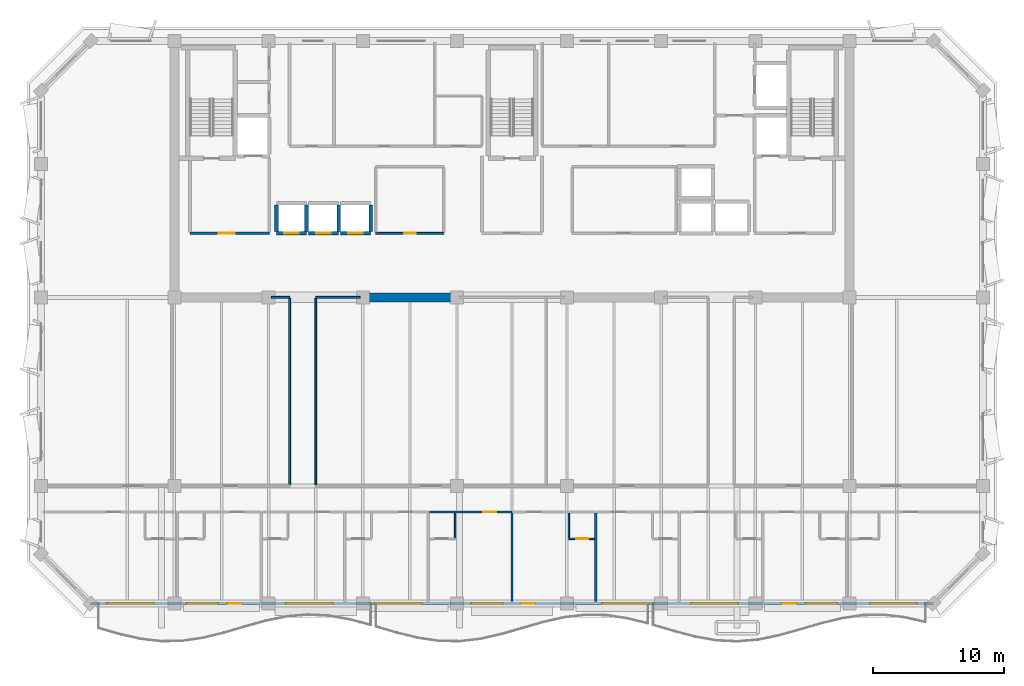
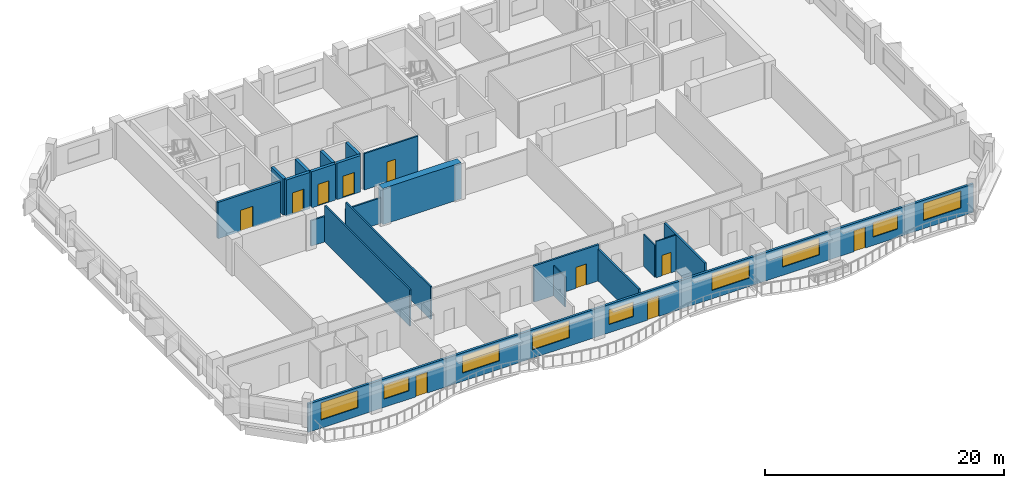
# One storey, part 4 of 11: 21 walls, 10 doors, 9 windows, 19 openings.
"""IFC4 building model written with IfcOpenShell, lengths in metres."""

from ifc_helpers import new_model, si_unit, direction, frame, frame_2d, origin, place, context, subcontext, project, spatial, rectangle, extrude, material, layer, layer_set, type_object, element, fill, save


model = new_model("IFC4")

# Units and contexts
model_context = context("Model", 3, precision=1e-05, world=origin(), true_north=direction((0.0, 1.0)))
body_context = subcontext(model_context, "Body", "Model", "MODEL_VIEW")
ifc_project = project(units=[si_unit("LENGTHUNIT", "METRE"), si_unit("AREAUNIT", "SQUARE_METRE"), si_unit("VOLUMEUNIT", "CUBIC_METRE"), si_unit("PLANEANGLEUNIT", "RADIAN"), si_unit("MASSUNIT", "GRAM", prefix="KILO")], contexts=[model_context])

# Site, building, storey
site_placement = place(None, origin())
site = spatial("IfcSite", under=ifc_project, at=site_placement, CompositionType="ELEMENT")
building_placement = place(site_placement, origin())
building = spatial("IfcBuilding", under=site, at=building_placement, Name="Kaelvorn Grand Hotel", CompositionType="ELEMENT")
storey_placement = place(building_placement, frame((0.0, 0.0, 237.050048828125)))
storey = spatial("IfcBuildingStorey", under=building, at=storey_placement, Name="L58", CompositionType="ELEMENT", Elevation=237.050048828125)

# Wall
ifc_material_1 = material(Name="Concrete C50/60", Category="concrete")
ifc_layer_1 = layer(ifc_material_1, 0.699951171875)
ifc_layer_set_1 = layer_set([ifc_layer_1], Name="Concrete C50/60")
wall_type_1 = type_object("IfcWallType", Name="WL-CORE-700-C50", PredefinedType="SHEAR", material=ifc_layer_set_1)
wall_1_placement = place(storey_placement, frame((30.39990234375, 29.39990234375, 0.0), z_axis=(0.0, 0.0, 1.0), x_axis=(1.0, 0.0, 0.0)))
element("IfcWall", 1, at=wall_1_placement, inside=storey, type_object=wall_type_1, Name="L58 Rear-Core Coupled Shear Pier S2", PredefinedType="SHEAR", context=body_context, shape_type="SweptSolid", body=[
    extrude(rectangle(XDim=7.60009765625, YDim=0.699951171875, at=frame_2d((3.800048828125, 0.0))), origin(), (0.0, 0.0, 1.0), 3.7099609375),
])

# Wall, openings, doors, windows
ifc_material_2 = material(Name="Concrete C40/50", Category="concrete")
ifc_layer_2 = layer(ifc_material_2, 0.219970703125)
ifc_layer_set_2 = layer_set([ifc_layer_2], Name="Concrete C40/50")
wall_type_2 = type_object("IfcWallType", Name="WL-EXT-220-C40", PredefinedType="SOLIDWALL", material=ifc_layer_set_2)
wall_2_placement = place(storey_placement, frame((9.800048828125, 6.0, 0.0), z_axis=(0.0, 0.0, 1.0), x_axis=(1.0, 0.0, 0.0)))
wall_2 = element("IfcWall", 2, at=wall_2_placement, inside=storey, type_object=wall_type_2, Name="L58 Exterior Architectural Concrete Wall 01", PredefinedType="SOLIDWALL", context=body_context, shape_type="SweptSolid", body=[
    extrude(rectangle(XDim=64.39990234375, YDim=0.219970703125, at=frame_2d((32.199951171875, 0.0))), origin(), (0.0, 0.0, 1.0), 2.909912109375),
])
opening_1_placement = place(wall_2_placement, frame((10.449951171875, 0.0, 0.0)))
opening_1 = element("IfcOpeningElement", 3, at=opening_1_placement, cuts=wall_2, Name="Opening DE2", PredefinedType="OPENING", context=body_context, shape_type="SweptSolid", body=[
    extrude(rectangle(XDim=1.10009765625, YDim=2.14990234375, at=frame_2d((0.550048828125, 1.074951171875))), frame((0.0, 0.1201171875, 0.0), z_axis=(0.0, -1.0, 0.0), x_axis=(1.0, 0.0, 0.0)), (0.0, 0.0, 1.0), 0.239990234375),
])
opening_2_placement = place(wall_2_placement, frame((32.85009765625, 0.0, 0.0)))
opening_2 = element("IfcOpeningElement", 4, at=opening_2_placement, cuts=wall_2, Name="Opening DE2", PredefinedType="OPENING", context=body_context, shape_type="SweptSolid", body=[
    extrude(rectangle(XDim=1.10009765625, YDim=2.14990234375, at=frame_2d((0.550048828125, 1.074951171875))), frame((0.0, 0.1201171875, 0.0), z_axis=(0.0, -1.0, 0.0), x_axis=(1.0, 0.0, 0.0)), (0.0, 0.0, 1.0), 0.239990234375),
])
opening_3_placement = place(wall_2_placement, frame((52.85009765625, 0.0, 0.0)))
opening_3 = element("IfcOpeningElement", 5, at=opening_3_placement, cuts=wall_2, Name="Opening DE2", PredefinedType="OPENING", context=body_context, shape_type="SweptSolid", body=[
    extrude(rectangle(XDim=1.10009765625, YDim=2.14990234375, at=frame_2d((0.550048828125, 1.074951171875))), frame((0.0, 0.1201171875, 0.0), z_axis=(0.0, -1.0, 0.0), x_axis=(1.0, 0.0, 0.0)), (0.0, 0.0, 1.0), 0.239990234375),
])
opening_4_placement = place(wall_2_placement, frame((1.235107421875, 0.0, 0.85009765625)))
opening_4 = element("IfcOpeningElement", 6, at=opening_4_placement, cuts=wall_2, Name="Opening W3", PredefinedType="OPENING", context=body_context, shape_type="SweptSolid", body=[
    extrude(rectangle(XDim=3.60009765625, YDim=1.75, at=frame_2d((1.800048828125, 0.875))), frame((0.0, 0.1201171875, 0.0), z_axis=(0.0, -1.0, 0.0), x_axis=(1.0, 0.0, 0.0)), (0.0, 0.0, 1.0), 0.239990234375),
])
opening_5_placement = place(wall_2_placement, frame((7.340087890625, 0.0, 0.85009765625)))
opening_5 = element("IfcOpeningElement", 7, at=opening_5_placement, cuts=wall_2, Name="Opening W6", PredefinedType="OPENING", context=body_context, shape_type="SweptSolid", body=[
    extrude(rectangle(XDim=2.39990234375, YDim=1.5, at=frame_2d((1.199951171875, 0.75))), frame((0.0, 0.1201171875, 0.0), z_axis=(0.0, -1.0, 0.0), x_axis=(1.0, 0.0, 0.0)), (0.0, 0.0, 1.0), 0.239990234375),
])
opening_6_placement = place(wall_2_placement, frame((14.909912109375, 0.0, 0.85009765625)))
opening_6 = element("IfcOpeningElement", 8, at=opening_6_placement, cuts=wall_2, Name="Opening W3", PredefinedType="OPENING", context=body_context, shape_type="SweptSolid", body=[
    extrude(rectangle(XDim=3.60009765625, YDim=1.75, at=frame_2d((1.800048828125, 0.875))), frame((0.0, 0.1201171875, 0.0), z_axis=(0.0, -1.0, 0.0), x_axis=(1.0, 0.0, 0.0)), (0.0, 0.0, 1.0), 0.239990234375),
])
opening_7_placement = place(wall_2_placement, frame((21.705078125, 0.0, 0.85009765625)))
opening_7 = element("IfcOpeningElement", 9, at=opening_7_placement, cuts=wall_2, Name="Opening W3", PredefinedType="OPENING", context=body_context, shape_type="SweptSolid", body=[
    extrude(rectangle(XDim=3.60009765625, YDim=1.75, at=frame_2d((1.800048828125, 0.875))), frame((0.0, 0.1201171875, 0.0), z_axis=(0.0, -1.0, 0.0), x_axis=(1.0, 0.0, 0.0)), (0.0, 0.0, 1.0), 0.239990234375),
])
opening_8_placement = place(wall_2_placement, frame((29.10009765625, 0.0, 0.85009765625)))
opening_8 = element("IfcOpeningElement", 10, at=opening_8_placement, cuts=wall_2, Name="Opening W6", PredefinedType="OPENING", context=body_context, shape_type="SweptSolid", body=[
    extrude(rectangle(XDim=2.39990234375, YDim=1.5, at=frame_2d((1.199951171875, 0.75))), frame((0.0, 0.1201171875, 0.0), z_axis=(0.0, -1.0, 0.0), x_axis=(1.0, 0.0, 0.0)), (0.0, 0.0, 1.0), 0.239990234375),
])
opening_9_placement = place(wall_2_placement, frame((39.094970703125, 0.0, 0.85009765625)))
opening_9 = element("IfcOpeningElement", 11, at=opening_9_placement, cuts=wall_2, Name="Opening W3", PredefinedType="OPENING", context=body_context, shape_type="SweptSolid", body=[
    extrude(rectangle(XDim=3.60009765625, YDim=1.75, at=frame_2d((1.800048828125, 0.875))), frame((0.0, 0.1201171875, 0.0), z_axis=(0.0, -1.0, 0.0), x_axis=(1.0, 0.0, 0.0)), (0.0, 0.0, 1.0), 0.239990234375),
])
opening_10_placement = place(wall_2_placement, frame((45.889892578125, 0.0, 0.85009765625)))
opening_10 = element("IfcOpeningElement", 12, at=opening_10_placement, cuts=wall_2, Name="Opening W3", PredefinedType="OPENING", context=body_context, shape_type="SweptSolid", body=[
    extrude(rectangle(XDim=3.60009765625, YDim=1.75, at=frame_2d((1.800048828125, 0.875))), frame((0.0, 0.1201171875, 0.0), z_axis=(0.0, -1.0, 0.0), x_axis=(1.0, 0.0, 0.0)), (0.0, 0.0, 1.0), 0.239990234375),
])
opening_11_placement = place(wall_2_placement, frame((54.659912109375, 0.0, 0.85009765625)))
opening_11 = element("IfcOpeningElement", 13, at=opening_11_placement, cuts=wall_2, Name="Opening W6", PredefinedType="OPENING", context=body_context, shape_type="SweptSolid", body=[
    extrude(rectangle(XDim=2.39990234375, YDim=1.5, at=frame_2d((1.199951171875, 0.75))), frame((0.0, 0.1201171875, 0.0), z_axis=(0.0, -1.0, 0.0), x_axis=(1.0, 0.0, 0.0)), (0.0, 0.0, 1.0), 0.239990234375),
])
opening_12_placement = place(wall_2_placement, frame((59.56494140625, 0.0, 0.85009765625)))
opening_12 = element("IfcOpeningElement", 14, at=opening_12_placement, cuts=wall_2, Name="Opening W3", PredefinedType="OPENING", context=body_context, shape_type="SweptSolid", body=[
    extrude(rectangle(XDim=3.60009765625, YDim=1.75, at=frame_2d((1.800048828125, 0.875))), frame((0.0, 0.1201171875, 0.0), z_axis=(0.0, -1.0, 0.0), x_axis=(1.0, 0.0, 0.0)), (0.0, 0.0, 1.0), 0.239990234375),
])
ifc_material_3 = material(Name="Anodised Aluminium", Category="aluminium")
door_type_1 = type_object("IfcDoorType", Name="DR-EXT-BALC-1100x2150", OperationType="NOTDEFINED", PredefinedType="DOOR", material=ifc_material_3)
door_1_placement = place(opening_1_placement, origin())
door_1 = element("IfcDoor", 15, at=door_1_placement, inside=storey, type_object=door_type_1, Name="L58 Scalloped Balcony Glazed Door DE2-1", OperationType="SINGLE_SWING_LEFT", OverallHeight=2.14990234375, OverallWidth=1.10009765625, PredefinedType="DOOR", context=body_context, shape_type="SweptSolid", body=[
    extrude(rectangle(XDim=1.10009765625, YDim=2.14990234375, at=frame_2d((0.550048828125, 1.074951171875))), frame((0.0, 0.02490234375, 0.0), z_axis=(0.0, -1.0, 0.0), x_axis=(1.0, 0.0, 0.0)), (0.0, 0.0, 1.0), 0.050048828125),
])
fill(opening_1, door_1)
door_2_placement = place(opening_2_placement, origin())
door_2 = element("IfcDoor", 16, at=door_2_placement, inside=storey, type_object=door_type_1, Name="L58 Scalloped Balcony Glazed Door DE2-2", OperationType="SINGLE_SWING_RIGHT", OverallHeight=2.14990234375, OverallWidth=1.10009765625, PredefinedType="DOOR", context=body_context, shape_type="SweptSolid", body=[
    extrude(rectangle(XDim=1.10009765625, YDim=2.14990234375, at=frame_2d((0.550048828125, 1.074951171875))), frame((0.0, 0.02490234375, 0.0), z_axis=(0.0, -1.0, 0.0), x_axis=(1.0, 0.0, 0.0)), (0.0, 0.0, 1.0), 0.050048828125),
])
fill(opening_2, door_2)
door_3_placement = place(opening_3_placement, origin())
door_3 = element("IfcDoor", 17, at=door_3_placement, inside=storey, type_object=door_type_1, Name="L58 Scalloped Balcony Glazed Door DE2-3", OperationType="SINGLE_SWING_LEFT", OverallHeight=2.14990234375, OverallWidth=1.10009765625, PredefinedType="DOOR", context=body_context, shape_type="SweptSolid", body=[
    extrude(rectangle(XDim=1.10009765625, YDim=2.14990234375, at=frame_2d((0.550048828125, 1.074951171875))), frame((0.0, 0.02490234375, 0.0), z_axis=(0.0, -1.0, 0.0), x_axis=(1.0, 0.0, 0.0)), (0.0, 0.0, 1.0), 0.050048828125),
])
fill(opening_3, door_3)
ifc_material_4 = material(Name="Laminated Low-E Glass", Category="glass")
window_type_1 = type_object("IfcWindowType", Name="WIN-NTH-2400x1500", PartitioningType="SINGLE_PANEL", PredefinedType="WINDOW", material=ifc_material_4)
window_1_placement = place(opening_5_placement, origin())
window_1 = element("IfcWindow", 18, at=window_1_placement, inside=storey, type_object=window_type_1, Name="L58 South Guestroom Ribbon Window SR02", OverallHeight=1.5, OverallWidth=2.39990234375, PartitioningType="SINGLE_PANEL", PredefinedType="WINDOW", context=body_context, shape_type="SweptSolid", body=[
    extrude(rectangle(XDim=2.39990234375, YDim=1.5, at=frame_2d((1.199951171875, 0.75))), frame((0.0, 0.030029296875, 0.0), z_axis=(0.0, -1.0, 0.0), x_axis=(1.0, 0.0, 0.0)), (0.0, 0.0, 1.0), 0.06005859375),
])
fill(opening_5, window_1)
window_2_placement = place(opening_8_placement, origin())
window_2 = element("IfcWindow", 19, at=window_2_placement, inside=storey, type_object=window_type_1, Name="L58 South Guestroom Ribbon Window SR05", OverallHeight=1.5, OverallWidth=2.39990234375, PartitioningType="SINGLE_PANEL", PredefinedType="WINDOW", context=body_context, shape_type="SweptSolid", body=[
    extrude(rectangle(XDim=2.39990234375, YDim=1.5, at=frame_2d((1.199951171875, 0.75))), frame((0.0, 0.030029296875, 0.0), z_axis=(0.0, -1.0, 0.0), x_axis=(1.0, 0.0, 0.0)), (0.0, 0.0, 1.0), 0.06005859375),
])
fill(opening_8, window_2)
window_3_placement = place(opening_11_placement, origin())
window_3 = element("IfcWindow", 20, at=window_3_placement, inside=storey, type_object=window_type_1, Name="L58 South Guestroom Ribbon Window SR08", OverallHeight=1.5, OverallWidth=2.39990234375, PartitioningType="SINGLE_PANEL", PredefinedType="WINDOW", context=body_context, shape_type="SweptSolid", body=[
    extrude(rectangle(XDim=2.39990234375, YDim=1.5, at=frame_2d((1.199951171875, 0.75))), frame((0.0, 0.030029296875, 0.0), z_axis=(0.0, -1.0, 0.0), x_axis=(1.0, 0.0, 0.0)), (0.0, 0.0, 1.0), 0.06005859375),
])
fill(opening_11, window_3)
window_type_2 = type_object("IfcWindowType", Name="WIN-RIB-3600x1750", PartitioningType="SINGLE_PANEL", PredefinedType="WINDOW", material=ifc_material_4)
window_4_placement = place(opening_4_placement, origin())
window_4 = element("IfcWindow", 21, at=window_4_placement, inside=storey, type_object=window_type_2, Name="L58 South Guestroom Ribbon Window SR01", OverallHeight=1.75, OverallWidth=3.60009765625, PartitioningType="SINGLE_PANEL", PredefinedType="WINDOW", context=body_context, shape_type="SweptSolid", body=[
    extrude(rectangle(XDim=3.60009765625, YDim=1.75, at=frame_2d((1.800048828125, 0.875))), frame((0.0, 0.030029296875, 0.0), z_axis=(0.0, -1.0, 0.0), x_axis=(1.0, 0.0, 0.0)), (0.0, 0.0, 1.0), 0.06005859375),
])
fill(opening_4, window_4)
window_5_placement = place(opening_6_placement, origin())
window_5 = element("IfcWindow", 22, at=window_5_placement, inside=storey, type_object=window_type_2, Name="L58 South Guestroom Ribbon Window SR03", OverallHeight=1.75, OverallWidth=3.60009765625, PartitioningType="SINGLE_PANEL", PredefinedType="WINDOW", context=body_context, shape_type="SweptSolid", body=[
    extrude(rectangle(XDim=3.60009765625, YDim=1.75, at=frame_2d((1.800048828125, 0.875))), frame((0.0, 0.030029296875, 0.0), z_axis=(0.0, -1.0, 0.0), x_axis=(1.0, 0.0, 0.0)), (0.0, 0.0, 1.0), 0.06005859375),
])
fill(opening_6, window_5)
window_6_placement = place(opening_7_placement, origin())
window_6 = element("IfcWindow", 23, at=window_6_placement, inside=storey, type_object=window_type_2, Name="L58 South Guestroom Ribbon Window SR04", OverallHeight=1.75, OverallWidth=3.60009765625, PartitioningType="SINGLE_PANEL", PredefinedType="WINDOW", context=body_context, shape_type="SweptSolid", body=[
    extrude(rectangle(XDim=3.60009765625, YDim=1.75, at=frame_2d((1.800048828125, 0.875))), frame((0.0, 0.030029296875, 0.0), z_axis=(0.0, -1.0, 0.0), x_axis=(1.0, 0.0, 0.0)), (0.0, 0.0, 1.0), 0.06005859375),
])
fill(opening_7, window_6)
window_7_placement = place(opening_9_placement, origin())
window_7 = element("IfcWindow", 24, at=window_7_placement, inside=storey, type_object=window_type_2, Name="L58 South Guestroom Ribbon Window SR06", OverallHeight=1.75, OverallWidth=3.60009765625, PartitioningType="SINGLE_PANEL", PredefinedType="WINDOW", context=body_context, shape_type="SweptSolid", body=[
    extrude(rectangle(XDim=3.60009765625, YDim=1.75, at=frame_2d((1.800048828125, 0.875))), frame((0.0, 0.030029296875, 0.0), z_axis=(0.0, -1.0, 0.0), x_axis=(1.0, 0.0, 0.0)), (0.0, 0.0, 1.0), 0.06005859375),
])
fill(opening_9, window_7)
window_8_placement = place(opening_10_placement, origin())
window_8 = element("IfcWindow", 25, at=window_8_placement, inside=storey, type_object=window_type_2, Name="L58 South Guestroom Ribbon Window SR07", OverallHeight=1.75, OverallWidth=3.60009765625, PartitioningType="SINGLE_PANEL", PredefinedType="WINDOW", context=body_context, shape_type="SweptSolid", body=[
    extrude(rectangle(XDim=3.60009765625, YDim=1.75, at=frame_2d((1.800048828125, 0.875))), frame((0.0, 0.030029296875, 0.0), z_axis=(0.0, -1.0, 0.0), x_axis=(1.0, 0.0, 0.0)), (0.0, 0.0, 1.0), 0.06005859375),
])
fill(opening_10, window_8)
window_9_placement = place(opening_12_placement, origin())
window_9 = element("IfcWindow", 26, at=window_9_placement, inside=storey, type_object=window_type_2, Name="L58 South Guestroom Ribbon Window SR09", OverallHeight=1.75, OverallWidth=3.60009765625, PartitioningType="SINGLE_PANEL", PredefinedType="WINDOW", context=body_context, shape_type="SweptSolid", body=[
    extrude(rectangle(XDim=3.60009765625, YDim=1.75, at=frame_2d((1.800048828125, 0.875))), frame((0.0, 0.030029296875, 0.0), z_axis=(0.0, -1.0, 0.0), x_axis=(1.0, 0.0, 0.0)), (0.0, 0.0, 1.0), 0.06005859375),
])
fill(opening_12, window_9)

# Wall
ifc_material_5 = material(Name="Moisture-Resistant Tile & Stud Board")
ifc_layer_3 = layer(ifc_material_5, 0.125)
ifc_layer_set_3 = layer_set([ifc_layer_3], Name="Moisture-Resistant Tile & Stud Board")
wall_type_3 = type_object("IfcWallType", Name="WL-PART-125-WET", PredefinedType="PARTITIONING", material=ifc_layer_set_3)
wall_3_placement = place(storey_placement, frame((37.64990234375, 11.017578125, 0.0), z_axis=(0.0, 0.0, 1.0), x_axis=(0.0, 1.0, 0.0)))
element("IfcWall", 27, at=wall_3_placement, inside=storey, type_object=wall_type_3, Name="L58 En-suite Bathroom L58-05 E Partition", PredefinedType="PARTITIONING", context=body_context, shape_type="SweptSolid", body=[
    extrude(rectangle(XDim=1.887451171875, YDim=0.125, at=frame_2d((0.94384765625, 0.0))), origin(), (0.0, 0.0, 1.0), 3.079833984375),
])

# Wall, opening, door
wall_4_placement = place(storey_placement, frame((46.35009765625, 10.949951171875, 0.0), z_axis=(0.0, 0.0, 1.0), x_axis=(1.0, 0.0, 0.0)))
wall_4 = element("IfcWall", 28, at=wall_4_placement, inside=storey, type_object=wall_type_3, Name="L58 En-suite Bathroom L58-06 S Partition", PredefinedType="PARTITIONING", context=body_context, shape_type="SweptSolid", body=[
    extrude(rectangle(XDim=1.94482421875, YDim=0.125, at=frame_2d((0.972412109375, 0.0))), origin(), (0.0, 0.0, 1.0), 3.7099609375),
])
opening_13_placement = place(wall_4_placement, frame((0.570068359375, 0.0, 0.0)))
opening_13 = element("IfcOpeningElement", 29, at=opening_13_placement, cuts=wall_4, Name="Opening DI4", PredefinedType="OPENING", context=body_context, shape_type="SweptSolid", body=[
    extrude(rectangle(XDim=0.89990234375, YDim=2.10009765625, at=frame_2d((0.449951171875, 1.050048828125))), frame((0.0, 0.072509765625, 0.0), z_axis=(0.0, -1.0, 0.0), x_axis=(1.0, 0.0, 0.0)), (0.0, 0.0, 1.0), 0.14501953125),
])
ifc_material_6 = material(Name="Timber Veneer Leaf", Category="wood")
door_type_2 = type_object("IfcDoorType", Name="DR-INT-BATH-900x2100", OperationType="NOTDEFINED", PredefinedType="DOOR", material=ifc_material_6)
door_4_placement = place(opening_13_placement, origin())
door_4 = element("IfcDoor", 30, at=door_4_placement, inside=storey, type_object=door_type_2, Name="L58 En-suite Bathroom L58-06 Door", OperationType="SINGLE_SWING_LEFT", OverallHeight=2.10009765625, OverallWidth=0.89990234375, PredefinedType="DOOR", context=body_context, shape_type="SweptSolid", body=[
    extrude(rectangle(XDim=0.89990234375, YDim=2.10009765625, at=frame_2d((0.449951171875, 1.050048828125))), frame((0.0, 0.02490234375, 0.0), z_axis=(0.0, -1.0, 0.0), x_axis=(1.0, 0.0, 0.0)), (0.0, 0.0, 1.0), 0.050048828125),
])
fill(opening_13, door_4)

# Wall
wall_5_placement = place(storey_placement, frame((46.35009765625, 11.017578125, 0.0), z_axis=(0.0, 0.0, 1.0), x_axis=(0.0, 1.0, 0.0)))
element("IfcWall", 31, at=wall_5_placement, inside=storey, type_object=wall_type_3, Name="L58 En-suite Bathroom L58-06 W Partition", PredefinedType="PARTITIONING", context=body_context, shape_type="SweptSolid", body=[
    extrude(rectangle(XDim=1.887451171875, YDim=0.125, at=frame_2d((0.94384765625, 0.0))), origin(), (0.0, 0.0, 1.0), 3.260009765625),
])

# Wall, opening, door
ifc_material_7 = material(Name="Acoustic Gypsum & Stud Partition")
ifc_layer_4 = layer(ifc_material_7, 0.14990234375)
ifc_layer_set_4 = layer_set([ifc_layer_4], Name="Acoustic Gypsum & Stud Partition")
wall_type_4 = type_object("IfcWallType", Name="WL-PART-150-EI60", PredefinedType="PARTITIONING", material=ifc_layer_set_4)
wall_6_placement = place(storey_placement, frame((31.60009765625, 34.300048828125, 0.0), z_axis=(0.0, 0.0, 1.0), x_axis=(1.0, 0.0, 0.0)))
wall_6 = element("IfcWall", 32, at=wall_6_placement, inside=storey, type_object=wall_type_4, Name="L58 Core Telecoms & BMS Server Room S Partition", PredefinedType="PARTITIONING", context=body_context, shape_type="SweptSolid", body=[
    extrude(rectangle(XDim=5.199951171875, YDim=0.14990234375, at=frame_2d((2.60009765625, 0.0))), origin(), (0.0, 0.0, 1.0), 3.7099609375),
])
opening_14_placement = place(wall_6_placement, frame((2.175048828125, 0.0, 0.0)))
opening_14 = element("IfcOpeningElement", 33, at=opening_14_placement, cuts=wall_6, Name="Opening DI7", PredefinedType="OPENING", context=body_context, shape_type="SweptSolid", body=[
    extrude(rectangle(XDim=0.85009765625, YDim=2.10009765625, at=frame_2d((0.425048828125, 1.050048828125))), frame((0.0, 0.0849609375, 0.0), z_axis=(0.0, -1.0, 0.0), x_axis=(1.0, 0.0, 0.0)), (0.0, 0.0, 1.0), 0.169921875),
])
ifc_material_8 = material(Name="Powder-Coated Steel Leaf", Category="steel")
door_type_3 = type_object("IfcDoorType", Name="DR-INT-RISER-850x2100", OperationType="NOTDEFINED", PredefinedType="DOOR", material=ifc_material_8)
door_5_placement = place(opening_14_placement, origin())
door_5 = element("IfcDoor", 34, at=door_5_placement, inside=storey, type_object=door_type_3, Name="L58 Core Telecoms & BMS Server Room Door", OperationType="SINGLE_SWING_LEFT", OverallHeight=2.10009765625, OverallWidth=0.85009765625, PredefinedType="DOOR", context=body_context, shape_type="SweptSolid", body=[
    extrude(rectangle(XDim=0.85009765625, YDim=2.10009765625, at=frame_2d((0.425048828125, 1.050048828125))), frame((0.0, 0.02490234375, 0.0), z_axis=(0.0, -1.0, 0.0), x_axis=(1.0, 0.0, 0.0)), (0.0, 0.0, 1.0), 0.050048828125),
])
fill(opening_14, door_5)

# Walls
wall_7_placement = place(storey_placement, frame((23.610107421875, 29.39990234375, 0.0), z_axis=(0.0, 0.0, 1.0), x_axis=(1.0, 0.0, 0.0)))
element("IfcWall", 35, at=wall_7_placement, inside=storey, type_object=wall_type_4, Name="L58 Executive Meeting Boardroom N Partition", PredefinedType="PARTITIONING", context=body_context, shape_type="SweptSolid", body=[
    extrude(rectangle(XDim=1.389892578125, YDim=0.14990234375, at=frame_2d((0.69482421875, 0.0))), origin(), (0.0, 0.0, 1.0), 2.60986328125),
])
wall_8_placement = place(storey_placement, frame((25.0, 15.080078125, 0.0), z_axis=(0.0, 0.0, 1.0), x_axis=(0.0, 1.0, 0.0)))
element("IfcWall", 36, at=wall_8_placement, inside=storey, type_object=wall_type_4, Name="L58 Executive Meeting Boardroom E Partition", PredefinedType="PARTITIONING", context=body_context, shape_type="SweptSolid", body=[
    extrude(rectangle(XDim=14.239990234375, YDim=0.14990234375, at=frame_2d((7.1201171875, 0.0))), origin(), (0.0, 0.0, 1.0), 3.7099609375),
])
wall_9_placement = place(storey_placement, frame((27.0, 29.39990234375, 0.0), z_axis=(0.0, 0.0, 1.0), x_axis=(1.0, 0.0, 0.0)))
element("IfcWall", 37, at=wall_9_placement, inside=storey, type_object=wall_type_4, Name="L58 Guest Butler Kitchen N Partition (1)", PredefinedType="PARTITIONING", context=body_context, shape_type="SweptSolid", body=[
    extrude(rectangle(XDim=3.389892578125, YDim=0.14990234375, at=frame_2d((1.69482421875, 0.0))), origin(), (0.0, 0.0, 1.0), 2.60986328125),
])
wall_10_placement = place(storey_placement, frame((27.0, 15.080078125, 0.0), z_axis=(0.0, 0.0, 1.0), x_axis=(0.0, 1.0, 0.0)))
element("IfcWall", 38, at=wall_10_placement, inside=storey, type_object=wall_type_4, Name="L58 Guest Butler Kitchen W Partition", PredefinedType="PARTITIONING", context=body_context, shape_type="SweptSolid", body=[
    extrude(rectangle(XDim=14.239990234375, YDim=0.14990234375, at=frame_2d((7.1201171875, 0.0))), origin(), (0.0, 0.0, 1.0), 3.349853515625),
])

# Wall, opening, door
ifc_layer_5 = layer(ifc_material_7, 0.179931640625)
ifc_layer_set_5 = layer_set([ifc_layer_5], Name="Acoustic Gypsum & Stud Partition")
wall_type_5 = type_object("IfcWallType", Name="WL-PART-180-EI60", PredefinedType="PARTITIONING", material=ifc_layer_set_5)
wall_11_placement = place(storey_placement, frame((35.705078125, 13.0, 0.0), z_axis=(0.0, 0.0, 1.0), x_axis=(1.0, 0.0, 0.0)))
wall_11 = element("IfcWall", 39, at=wall_11_placement, inside=storey, type_object=wall_type_5, Name="L58 Ambassador Guest Room L58-05 N Partition", PredefinedType="PARTITIONING", context=body_context, shape_type="SweptSolid", body=[
    extrude(rectangle(XDim=6.294921875, YDim=0.179931640625, at=frame_2d((3.1474609375, 0.0))), origin(), (0.0, 0.0, 1.0), 3.7099609375),
])
opening_15_placement = place(wall_11_placement, frame((4.0849609375, 0.0, 0.0)))
opening_15 = element("IfcOpeningElement", 40, at=opening_15_placement, cuts=wall_11, Name="Opening DI3", PredefinedType="OPENING", context=body_context, shape_type="SweptSolid", body=[
    extrude(rectangle(XDim=1.0, YDim=2.14990234375, at=frame_2d((0.5, 1.074951171875))), frame((0.0, 0.10009765625, 0.0), z_axis=(0.0, -1.0, 0.0), x_axis=(1.0, 0.0, 0.0)), (0.0, 0.0, 1.0), 0.199951171875),
])
ifc_material_9 = material(Name="Timber Veneer Fire Leaf", Category="wood")
door_type_4 = type_object("IfcDoorType", Name="DR-INT-GUEST-1000x2150", OperationType="NOTDEFINED", PredefinedType="DOOR", material=ifc_material_9)
door_6_placement = place(opening_15_placement, origin())
door_6 = element("IfcDoor", 41, at=door_6_placement, inside=storey, type_object=door_type_4, Name="L58 Ambassador Guest Room L58-05 Door", OperationType="SINGLE_SWING_RIGHT", OverallHeight=2.14990234375, OverallWidth=1.0, PredefinedType="DOOR", context=body_context, shape_type="SweptSolid", body=[
    extrude(rectangle(XDim=1.0, YDim=2.14990234375, at=frame_2d((0.5, 1.074951171875))), frame((0.0, 0.02490234375, 0.0), z_axis=(0.0, -1.0, 0.0), x_axis=(1.0, 0.0, 0.0)), (0.0, 0.0, 1.0), 0.050048828125),
])
fill(opening_15, door_6)

# Walls
wall_12_placement = place(storey_placement, frame((42.0, 6.14990234375, 0.0), z_axis=(0.0, 0.0, 1.0), x_axis=(0.0, 1.0, 0.0)))
element("IfcWall", 42, at=wall_12_placement, inside=storey, type_object=wall_type_5, Name="L58 Ambassador Guest Room L58-05 E Partition", PredefinedType="PARTITIONING", context=body_context, shape_type="SweptSolid", body=[
    extrude(rectangle(XDim=6.755126953125, YDim=0.179931640625, at=frame_2d((3.37744140625, 0.0))), origin(), (0.0, 0.0, 1.0), 3.260009765625),
])
wall_13_placement = place(storey_placement, frame((48.389892578125, 6.14990234375, 0.0), z_axis=(0.0, 0.0, 1.0), x_axis=(0.0, 1.0, 0.0)))
element("IfcWall", 43, at=wall_13_placement, inside=storey, type_object=wall_type_5, Name="L58 Ambassador Guest Room L58-06 E Partition", PredefinedType="PARTITIONING", context=body_context, shape_type="SweptSolid", body=[
    extrude(rectangle(XDim=6.755126953125, YDim=0.179931640625, at=frame_2d((3.37744140625, 0.0))), origin(), (0.0, 0.0, 1.0), 3.7099609375),
])

# Wall, opening, door
ifc_layer_6 = layer(ifc_material_2, 0.219970703125)
ifc_layer_set_6 = layer_set([ifc_layer_6], Name="Concrete C40/50")
wall_type_6 = type_object("IfcWallType", Name="WL-PART-220-EI120", PredefinedType="PARTITIONING", material=ifc_layer_set_6)
wall_14_placement = place(storey_placement, frame((17.39990234375, 34.300048828125, 0.0), z_axis=(0.0, 0.0, 1.0), x_axis=(1.0, 0.0, 0.0)))
wall_14 = element("IfcWall", 44, at=wall_14_placement, inside=storey, type_object=wall_type_6, Name="L58 Firefighting Lift Lobby 1 S Partition", PredefinedType="PARTITIONING", context=body_context, shape_type="SweptSolid", body=[
    extrude(rectangle(XDim=6.050048828125, YDim=0.219970703125, at=frame_2d((3.02490234375, 0.0))), origin(), (0.0, 0.0, 1.0), 3.7099609375),
])
opening_16_placement = place(wall_14_placement, frame((2.199951171875, 0.0, 0.0)))
opening_16 = element("IfcOpeningElement", 45, at=opening_16_placement, cuts=wall_14, Name="Opening DI2", PredefinedType="OPENING", context=body_context, shape_type="SweptSolid", body=[
    extrude(rectangle(XDim=1.199951171875, YDim=2.14990234375, at=frame_2d((0.60009765625, 1.074951171875))), frame((0.0, 0.1201171875, 0.0), z_axis=(0.0, -1.0, 0.0), x_axis=(1.0, 0.0, 0.0)), (0.0, 0.0, 1.0), 0.239990234375),
])
door_type_5 = type_object("IfcDoorType", Name="DR-INT-FFLOB-1200x2150", OperationType="NOTDEFINED", PredefinedType="DOOR", material=ifc_material_9)
door_7_placement = place(opening_16_placement, origin())
door_7 = element("IfcDoor", 46, at=door_7_placement, inside=storey, type_object=door_type_5, Name="L58 Firefighting Lift Lobby 1 Door", OperationType="SINGLE_SWING_LEFT", OverallHeight=2.14990234375, OverallWidth=1.199951171875, PredefinedType="DOOR", context=body_context, shape_type="SweptSolid", body=[
    extrude(rectangle(XDim=1.199951171875, YDim=2.14990234375, at=frame_2d((0.60009765625, 1.074951171875))), frame((0.0, 0.02490234375, 0.0), z_axis=(0.0, -1.0, 0.0), x_axis=(1.0, 0.0, 0.0)), (0.0, 0.0, 1.0), 0.050048828125),
])
fill(opening_16, door_7)

ifc_layer_7 = layer(ifc_material_1, 0.280029296875)
ifc_layer_set_7 = layer_set([ifc_layer_7], Name="Concrete C50/60")
wall_type_7 = type_object("IfcWallType", Name="WL-SHAFT-280-C50", PredefinedType="SHEAR", material=ifc_layer_set_7)
wall_15_placement = place(storey_placement, frame((24.0, 34.300048828125, 0.0), z_axis=(0.0, 0.0, 1.0), x_axis=(1.0, 0.0, 0.0)))
wall_15 = element("IfcWall", 47, at=wall_15_placement, inside=storey, type_object=wall_type_7, Name="L58 Lift PL-H1 Shaft South Wall", PredefinedType="SHEAR", context=body_context, shape_type="SweptSolid", body=[
    extrude(rectangle(XDim=2.300048828125, YDim=0.280029296875, at=frame_2d((1.14990234375, 0.0))), origin(), (0.0, 0.0, 1.0), 3.7099609375),
])
opening_17_placement = place(wall_15_placement, frame((0.60009765625, 0.0, 0.0)))
opening_17 = element("IfcOpeningElement", 48, at=opening_17_placement, cuts=wall_15, Name="Opening LD-PL-H1", PredefinedType="OPENING", context=body_context, shape_type="SweptSolid", body=[
    extrude(rectangle(XDim=1.10009765625, YDim=2.199951171875, at=frame_2d((0.550048828125, 1.10009765625))), frame((0.0, 0.14990234375, 0.0), z_axis=(0.0, -1.0, 0.0), x_axis=(1.0, 0.0, 0.0)), (0.0, 0.0, 1.0), 0.300048828125),
])
ifc_material_10 = material(Name="Stainless Steel", Category="steel")
door_type_6 = type_object("IfcDoorType", Name="DR-LIFT-PASS-1100x2200", OperationType="DOUBLE_DOOR_SLIDING", PredefinedType="DOOR", material=ifc_material_10)
door_8_placement = place(opening_17_placement, origin())
door_8 = element("IfcDoor", 49, at=door_8_placement, inside=storey, type_object=door_type_6, Name="L58 Lift PL-H1 Sliding Landing Door LD-PL-H1", OperationType="DOUBLE_DOOR_SLIDING", OverallHeight=2.199951171875, OverallWidth=1.10009765625, PredefinedType="DOOR", context=body_context, shape_type="SweptSolid", body=[
    extrude(rectangle(XDim=1.10009765625, YDim=2.199951171875, at=frame_2d((0.550048828125, 1.10009765625))), frame((0.0, 0.02490234375, 0.0), z_axis=(0.0, -1.0, 0.0), x_axis=(1.0, 0.0, 0.0)), (0.0, 0.0, 1.0), 0.050048828125),
])
fill(opening_17, door_8)

# Walls
for number, where, z_axis, x_axis, name in (
    (50, (24.0, 34.445068359375, 0.0), (0.0, 0.0, 1.0), (0.0, 1.0, 0.0), "L58 Lift PL-H1 Shaft West Wall"),
    (51, (26.300048828125, 34.445068359375, 0.0), (0.0, 0.0, 1.0), (0.0, 1.0, 0.0), "L58 Lift PL-H1 Shaft East Wall"),
):
    element("IfcWall", number, at=place(storey_placement, frame(where, z_axis=z_axis, x_axis=x_axis)), inside=storey, type_object=wall_type_7, Name=name, PredefinedType="SHEAR", context=body_context, shape_type="SweptSolid", body=[
        extrude(rectangle(XDim=2.010009765625, YDim=0.280029296875, at=frame_2d((1.0048828125, 0.0))), origin(), (0.0, 0.0, 1.0), 3.7099609375),
    ])

# Wall, opening, door
wall_16_placement = place(storey_placement, frame((26.449951171875, 34.300048828125, 0.0), z_axis=(0.0, 0.0, 1.0), x_axis=(1.0, 0.0, 0.0)))
wall_16 = element("IfcWall", 52, at=wall_16_placement, inside=storey, type_object=wall_type_7, Name="L58 Lift PL-H2 Shaft South Wall", PredefinedType="SHEAR", context=body_context, shape_type="SweptSolid", body=[
    extrude(rectangle(XDim=2.300048828125, YDim=0.280029296875, at=frame_2d((1.14990234375, 0.0))), origin(), (0.0, 0.0, 1.0), 3.7099609375),
])
opening_18_placement = place(wall_16_placement, frame((0.60009765625, 0.0, 0.0)))
opening_18 = element("IfcOpeningElement", 53, at=opening_18_placement, cuts=wall_16, Name="Opening LD-PL-H2", PredefinedType="OPENING", context=body_context, shape_type="SweptSolid", body=[
    extrude(rectangle(XDim=1.10009765625, YDim=2.199951171875, at=frame_2d((0.550048828125, 1.10009765625))), frame((0.0, 0.14990234375, 0.0), z_axis=(0.0, -1.0, 0.0), x_axis=(1.0, 0.0, 0.0)), (0.0, 0.0, 1.0), 0.300048828125),
])
door_9_placement = place(opening_18_placement, origin())
door_9 = element("IfcDoor", 54, at=door_9_placement, inside=storey, type_object=door_type_6, Name="L58 Lift PL-H2 Sliding Landing Door LD-PL-H2", OperationType="DOUBLE_DOOR_SLIDING", OverallHeight=2.199951171875, OverallWidth=1.10009765625, PredefinedType="DOOR", context=body_context, shape_type="SweptSolid", body=[
    extrude(rectangle(XDim=1.10009765625, YDim=2.199951171875, at=frame_2d((0.550048828125, 1.10009765625))), frame((0.0, 0.02490234375, 0.0), z_axis=(0.0, -1.0, 0.0), x_axis=(1.0, 0.0, 0.0)), (0.0, 0.0, 1.0), 0.050048828125),
])
fill(opening_18, door_9)

# Wall
wall_17_placement = place(storey_placement, frame((28.75, 34.445068359375, 0.0), z_axis=(0.0, 0.0, 1.0), x_axis=(0.0, 1.0, 0.0)))
element("IfcWall", 55, at=wall_17_placement, inside=storey, type_object=wall_type_7, Name="L58 Lift PL-H2 Shaft East Wall", PredefinedType="SHEAR", context=body_context, shape_type="SweptSolid", body=[
    extrude(rectangle(XDim=2.010009765625, YDim=0.280029296875, at=frame_2d((1.0048828125, 0.0))), origin(), (0.0, 0.0, 1.0), 3.7099609375),
])

# Wall, opening, door
wall_18_placement = place(storey_placement, frame((28.89990234375, 34.300048828125, 0.0), z_axis=(0.0, 0.0, 1.0), x_axis=(1.0, 0.0, 0.0)))
wall_18 = element("IfcWall", 56, at=wall_18_placement, inside=storey, type_object=wall_type_7, Name="L58 Lift PL-H3 Shaft South Wall", PredefinedType="SHEAR", context=body_context, shape_type="SweptSolid", body=[
    extrude(rectangle(XDim=2.300048828125, YDim=0.280029296875, at=frame_2d((1.14990234375, 0.0))), origin(), (0.0, 0.0, 1.0), 3.7099609375),
])
opening_19_placement = place(wall_18_placement, frame((0.60009765625, 0.0, 0.0)))
opening_19 = element("IfcOpeningElement", 57, at=opening_19_placement, cuts=wall_18, Name="Opening LD-PL-H3", PredefinedType="OPENING", context=body_context, shape_type="SweptSolid", body=[
    extrude(rectangle(XDim=1.10009765625, YDim=2.199951171875, at=frame_2d((0.550048828125, 1.10009765625))), frame((0.0, 0.14990234375, 0.0), z_axis=(0.0, -1.0, 0.0), x_axis=(1.0, 0.0, 0.0)), (0.0, 0.0, 1.0), 0.300048828125),
])
door_10_placement = place(opening_19_placement, origin())
door_10 = element("IfcDoor", 58, at=door_10_placement, inside=storey, type_object=door_type_6, Name="L58 Lift PL-H3 Sliding Landing Door LD-PL-H3", OperationType="DOUBLE_DOOR_SLIDING", OverallHeight=2.199951171875, OverallWidth=1.10009765625, PredefinedType="DOOR", context=body_context, shape_type="SweptSolid", body=[
    extrude(rectangle(XDim=1.10009765625, YDim=2.199951171875, at=frame_2d((0.550048828125, 1.10009765625))), frame((0.0, 0.02490234375, 0.0), z_axis=(0.0, -1.0, 0.0), x_axis=(1.0, 0.0, 0.0)), (0.0, 0.0, 1.0), 0.050048828125),
])
fill(opening_19, door_10)

# Wall
wall_19_placement = place(storey_placement, frame((31.199951171875, 34.445068359375, 0.0), z_axis=(0.0, 0.0, 1.0), x_axis=(0.0, 1.0, 0.0)))
element("IfcWall", 59, at=wall_19_placement, inside=storey, type_object=wall_type_7, Name="L58 Lift PL-H3 Shaft East Wall", PredefinedType="SHEAR", context=body_context, shape_type="SweptSolid", body=[
    extrude(rectangle(XDim=2.010009765625, YDim=0.280029296875, at=frame_2d((1.0048828125, 0.0))), origin(), (0.0, 0.0, 1.0), 3.7099609375),
])

save(model, "model.ifc")
